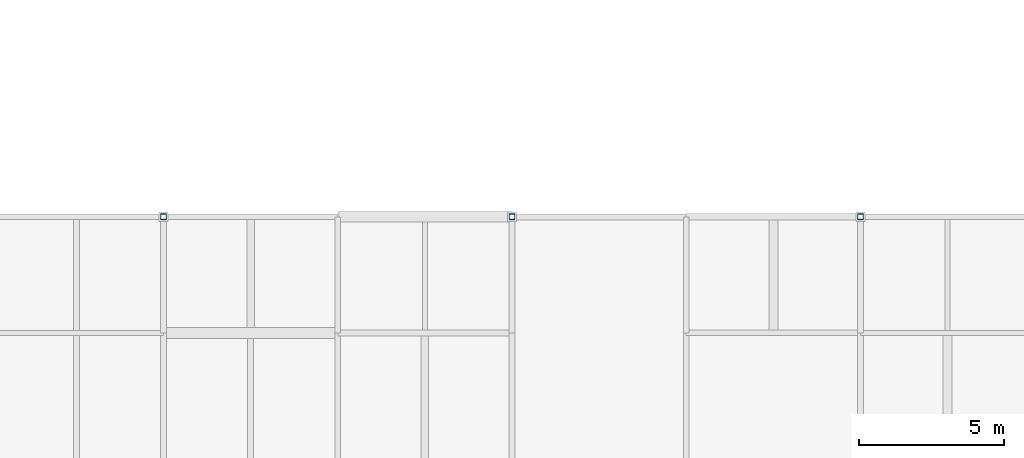
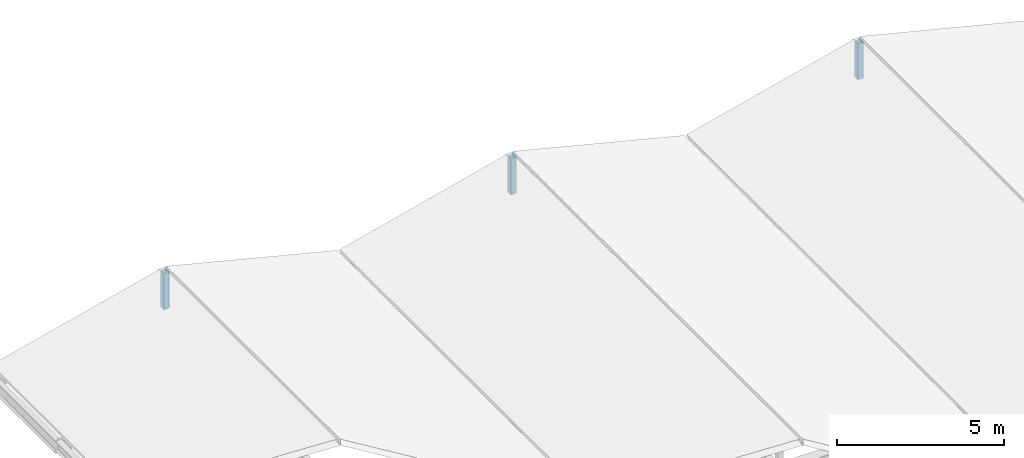
# One storey, part 10 of 35: 3 columns.
"""IFC4 building model written with IfcOpenShell, lengths in metres."""

from ifc_helpers import new_model, si_unit, direction, frame, origin, origin_2d, place, context, subcontext, project, spatial, hollow_rectangle, extrude, material, material_profile, profile_set, type_object, element, save


model = new_model("IFC4")

# Units and contexts
model_context = context("Model", 3, precision=1e-05, world=origin(), true_north=direction((0.0, 1.0)))
body_context = subcontext(model_context, "Body", "Model", "MODEL_VIEW")
ifc_project = project(units=[si_unit("LENGTHUNIT", "METRE"), si_unit("AREAUNIT", "SQUARE_METRE"), si_unit("VOLUMEUNIT", "CUBIC_METRE"), si_unit("PLANEANGLEUNIT", "RADIAN"), si_unit("MASSUNIT", "GRAM", prefix="KILO")], contexts=[model_context])

# Site, building, storey
site_placement = place(None, origin())
site = spatial("IfcSite", under=ifc_project, at=site_placement, CompositionType="ELEMENT")
building_placement = place(site_placement, origin())
building = spatial("IfcBuilding", under=site, at=building_placement, Name="Verrall Gate Interchange", CompositionType="ELEMENT")
storey_placement = place(building_placement, frame((0.0, 0.0, 15.39990234375)))
storey = spatial("IfcBuildingStorey", under=building, at=storey_placement, Name="L04", CompositionType="ELEMENT", Elevation=15.39990234375)

# Columns
ifc_material = material(Name="Structural Steel CSA G40.21 350W", Category="steel")
ifc_material_profile = material_profile(ifc_material, hollow_rectangle(XDim=0.202880859375, YDim=0.202880859375, WallThickness=0.009521484375, InnerFilletRadius=0.009521484375, OuterFilletRadius=0.01904296875, at=origin_2d()), Name="HSS203x203x9.5")
ifc_profile_set = profile_set([ifc_material_profile], Name="Structural Steel CSA G40.21 350W")
column_type = type_object("IfcColumnType", Name="C-14 Column HSS203x203x9.5", PredefinedType="COLUMN", material=ifc_profile_set)
for number, where, z_axis, x_axis, name in (
    (1, (138.0, 44.0, 0.0), (0.0, 0.0, 1.0), (1.0, 0.0, 0.0), "L04 Roof Ridge King-Post 011"),
    (2, (150.0, 44.0, 0.0), (0.0, 0.0, 1.0), (1.0, 0.0, 0.0), "L04 Roof Ridge King-Post 014"),
    (3, (162.0, 44.0, 0.0), (0.0, 0.0, 1.0), (1.0, 0.0, 0.0), "L04 Roof Ridge King-Post 017"),
):
    element("IfcColumn", number, at=place(storey_placement, frame(where, z_axis=z_axis, x_axis=x_axis)), inside=storey, type_object=column_type, Name=name, PredefinedType="COLUMN", context=body_context, shape_type="SweptSolid", body=[
        extrude(hollow_rectangle(XDim=0.202880859375, YDim=0.202880859375, WallThickness=0.009521484375, InnerFilletRadius=0.009521484375, OuterFilletRadius=0.01904296875, at=origin_2d()), origin(), (0.0, 0.0, 1.0), 1.320068359375),
    ])

save(model, "model.ifc")
